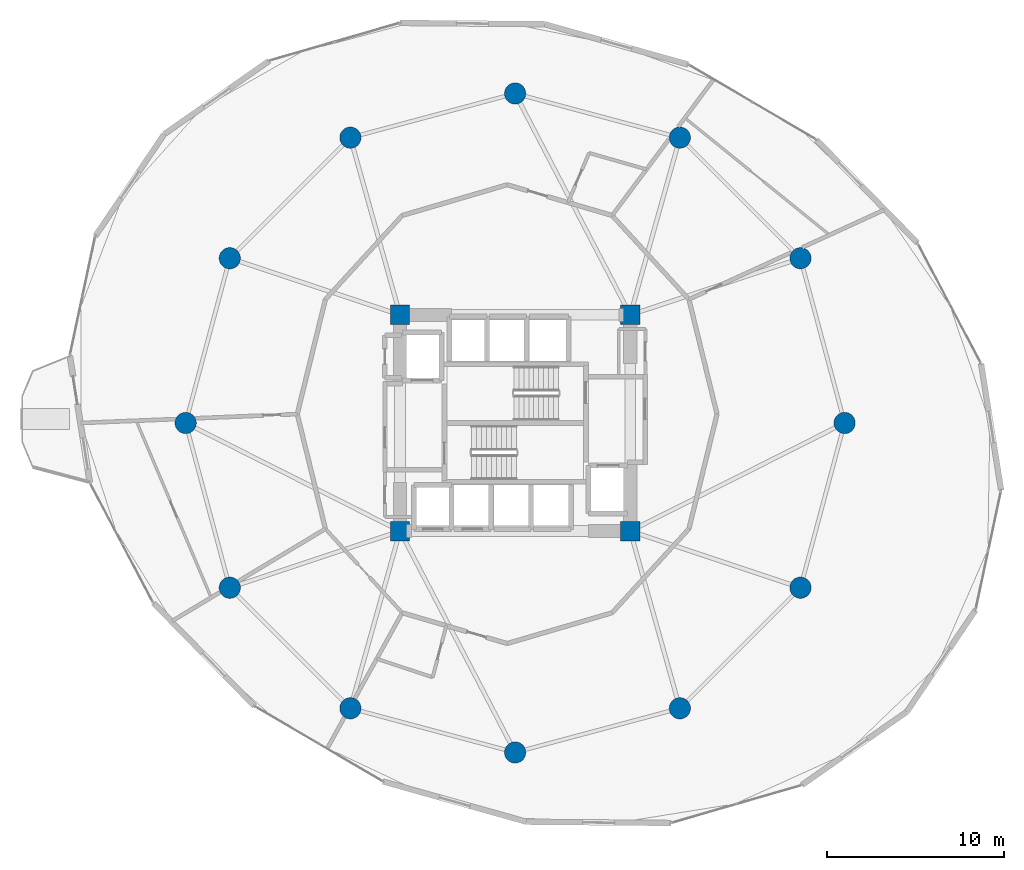
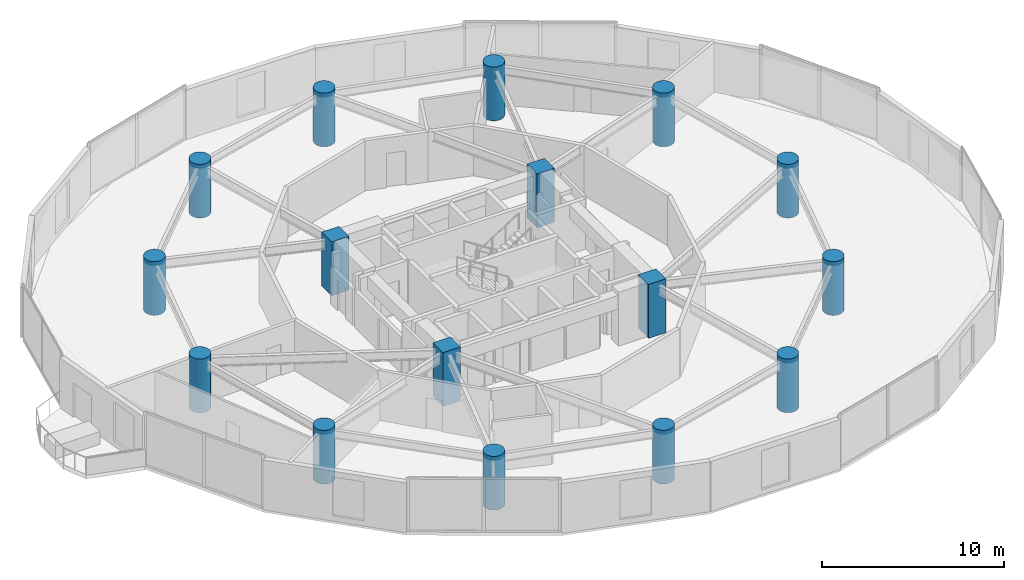
# One storey, part 1 of 24: 16 columns.
"""IFC4 building model written with IfcOpenShell, lengths in metres."""

from ifc_helpers import new_model, si_unit, direction, frame, origin, origin_2d, place, context, subcontext, project, spatial, rectangle, circle, extrude, material, material_profile, profile_set, type_object, element, save


model = new_model("IFC4")

# Units and contexts
model_context = context("Model", 3, precision=1e-05, world=origin(), true_north=direction((0.0, 1.0)))
body_context = subcontext(model_context, "Body", "Model", "MODEL_VIEW")
ifc_project = project(units=[si_unit("LENGTHUNIT", "METRE"), si_unit("AREAUNIT", "SQUARE_METRE"), si_unit("VOLUMEUNIT", "CUBIC_METRE"), si_unit("PLANEANGLEUNIT", "RADIAN"), si_unit("MASSUNIT", "GRAM", prefix="KILO")], contexts=[model_context])

# Site, building, storey
site_placement = place(None, origin())
site = spatial("IfcSite", under=ifc_project, at=site_placement, CompositionType="ELEMENT")
building_placement = place(site_placement, origin())
building = spatial("IfcBuilding", under=site, at=building_placement, Name="Solvirekh Grand Hotel", CompositionType="ELEMENT")
storey_placement = place(building_placement, frame((0.0, 0.0, 82.39990234375)))
storey = spatial("IfcBuildingStorey", under=building, at=storey_placement, Name="L20", CompositionType="ELEMENT", Elevation=82.39990234375)

# Columns
ifc_material = material(Name="Concrete C60/75", Category="concrete")
ifc_material_profile_1 = material_profile(ifc_material, rectangle(XDim=1.10009765625, YDim=1.10009765625, at=origin_2d()), Name="RC 1100X1100")
ifc_profile_set_1 = profile_set([ifc_material_profile_1], Name="Concrete C60/75")
column_type_1 = type_object("IfcColumnType", Name="Col_Core_1100", PredefinedType="COLUMN", material=ifc_profile_set_1)
for number, where, z_axis, x_axis, name in (
    (1, (-6.5, -6.10009765625, 0.0), (0.0, 0.0, 1.0), (1.0, 0.0, 0.0), "L20 core corner column CC1"),
    (2, (6.5, -6.10009765625, 0.0), (0.0, 0.0, 1.0), (1.0, 0.0, 0.0), "L20 core corner column CC2"),
    (3, (6.5, 6.10009765625, 0.0), (0.0, 0.0, 1.0), (1.0, 0.0, 0.0), "L20 core corner column CC3"),
    (4, (-6.5, 6.10009765625, 0.0), (0.0, 0.0, 1.0), (1.0, 0.0, 0.0), "L20 core corner column CC4"),
):
    element("IfcColumn", number, at=place(storey_placement, frame(where, z_axis=z_axis, x_axis=x_axis)), inside=storey, type_object=column_type_1, Name=name, PredefinedType="COLUMN", context=body_context, shape_type="SweptSolid", body=[
        extrude(rectangle(XDim=1.10009765625, YDim=1.10009765625, at=origin_2d()), origin(), (0.0, 0.0, 1.0), 3.60009765625),
    ])
ifc_material_profile_2 = material_profile(ifc_material, circle(Radius=0.60009765625, at=origin_2d()), Name="RC CIRC D1200")
ifc_profile_set_2 = profile_set([ifc_material_profile_2], Name="Concrete C60/75")
column_type_2 = type_object("IfcColumnType", Name="Col_Z1_D1200", PredefinedType="COLUMN", material=ifc_profile_set_2)
for number, where, z_axis, x_axis, name in (
    (5, (18.60009765625, 0.0, 0.0), (0.0, 0.0, 1.0), (1.0, 0.0, 0.0), "L20 perimeter column P01"),
    (6, (16.10791015625, 9.300048828125, 0.0), (0.0, 0.0, 1.0), (1.0, 0.0, 0.0), "L20 perimeter column P02"),
    (7, (9.300048828125, 16.10791015625, 0.0), (0.0, 0.0, 1.0), (1.0, 0.0, 0.0), "L20 perimeter column P03"),
    (8, (0.0, 18.60009765625, 0.0), (0.0, 0.0, 1.0), (1.0, 0.0, 0.0), "L20 perimeter column P04"),
    (9, (-9.300048828125, 16.10791015625, 0.0), (0.0, 0.0, 1.0), (1.0, 0.0, 0.0), "L20 perimeter column P05"),
    (10, (-16.10791015625, 9.300048828125, 0.0), (0.0, 0.0, 1.0), (1.0, 0.0, 0.0), "L20 perimeter column P06"),
    (11, (-18.60009765625, 0.0, 0.0), (0.0, 0.0, 1.0), (1.0, 0.0, 0.0), "L20 perimeter column P07"),
    (12, (-16.10791015625, -9.300048828125, 0.0), (0.0, 0.0, 1.0), (1.0, 0.0, 0.0), "L20 perimeter column P08"),
    (13, (-9.300048828125, -16.10791015625, 0.0), (0.0, 0.0, 1.0), (1.0, 0.0, 0.0), "L20 perimeter column P09"),
    (14, (0.0, -18.60009765625, 0.0), (0.0, 0.0, 1.0), (1.0, 0.0, 0.0), "L20 perimeter column P10"),
    (15, (9.300048828125, -16.10791015625, 0.0), (0.0, 0.0, 1.0), (1.0, 0.0, 0.0), "L20 perimeter column P11"),
    (16, (16.10791015625, -9.300048828125, 0.0), (0.0, 0.0, 1.0), (1.0, 0.0, 0.0), "L20 perimeter column P12"),
):
    element("IfcColumn", number, at=place(storey_placement, frame(where, z_axis=z_axis, x_axis=x_axis)), inside=storey, type_object=column_type_2, Name=name, PredefinedType="COLUMN", context=body_context, shape_type="SweptSolid", body=[
        extrude(circle(Radius=0.60009765625, at=origin_2d()), origin(), (0.0, 0.0, 1.0), 3.60009765625),
    ])

save(model, "model.ifc")
